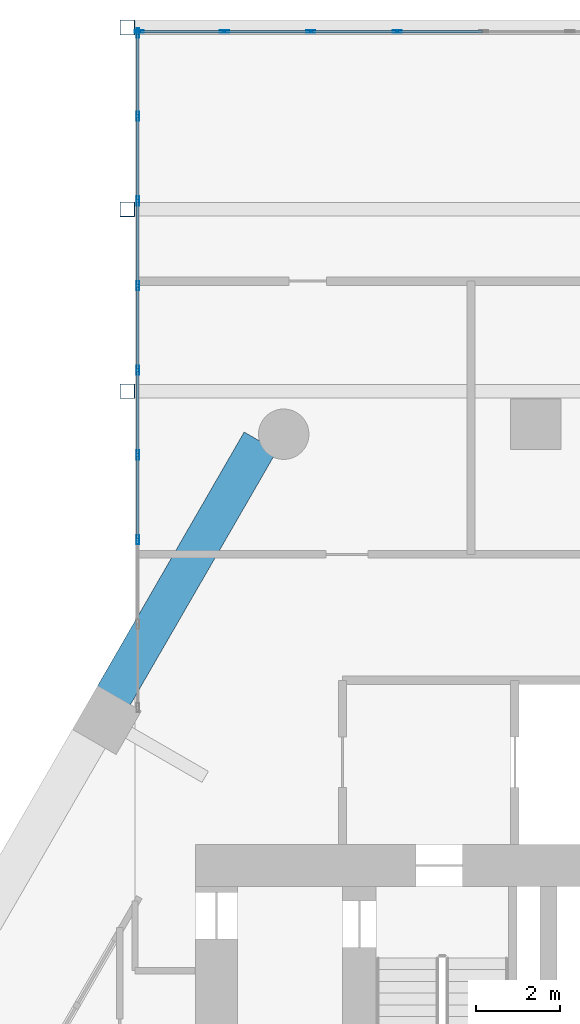
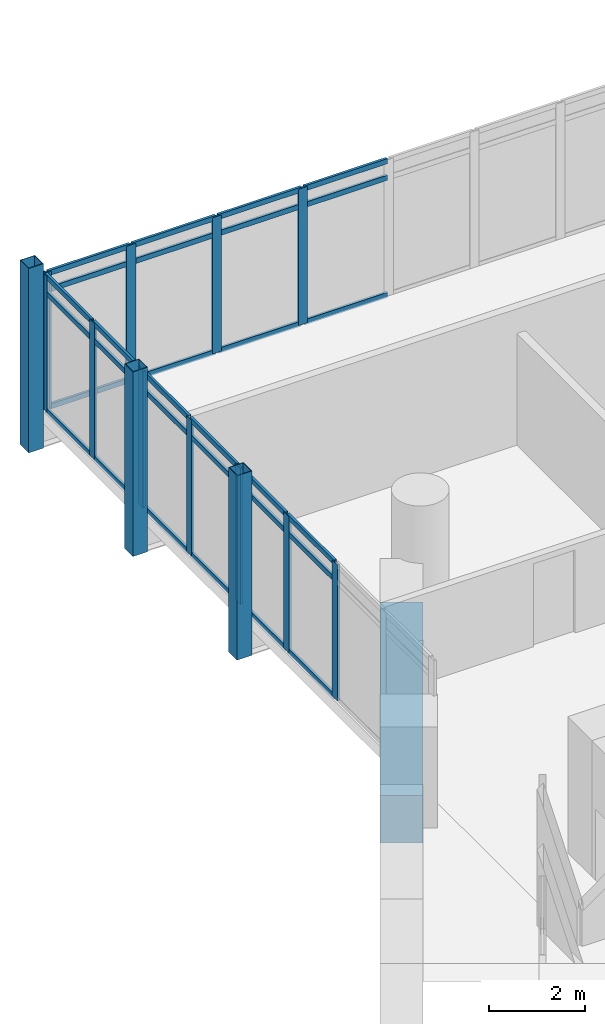
# One storey, part 13 of 28: 44 members, 1 beam, 2 elements without a shape of their own.
"""IFC4 building model written with IfcOpenShell, lengths in metres."""

from ifc_helpers import new_model, si_unit, direction, frame, origin, origin_2d, place, context, subcontext, project, spatial, rectangle, hollow_rectangle, extrude, material, material_profile, profile_set, type_object, element, aggregate, save


model = new_model("IFC4")

# Units and contexts
model_context = context("Model", 3, precision=1e-05, world=origin(), true_north=direction((0.0, 1.0)))
body_context = subcontext(model_context, "Body", "Model", "MODEL_VIEW")
ifc_project = project(units=[si_unit("LENGTHUNIT", "METRE"), si_unit("AREAUNIT", "SQUARE_METRE"), si_unit("VOLUMEUNIT", "CUBIC_METRE"), si_unit("PLANEANGLEUNIT", "RADIAN"), si_unit("MASSUNIT", "GRAM", prefix="KILO")], contexts=[model_context])

# Site, building, storey
site_placement = place(None, origin())
site = spatial("IfcSite", under=ifc_project, at=site_placement, CompositionType="ELEMENT")
building_placement = place(site_placement, origin())
building = spatial("IfcBuilding", under=site, at=building_placement, Name="Ostrander Bayou Hotel Tower", CompositionType="ELEMENT")
storey_placement = place(building_placement, frame((0.0, 0.0, 142.25)))
storey = spatial("IfcBuildingStorey", under=building, at=storey_placement, Name="L35", CompositionType="ELEMENT", Elevation=142.25)

# Curtain wall, members
ifc_material_1 = material(Name="Aluminium and clear glass", Category="aluminium")
curtain_wall_type = type_object("IfcCurtainWallType", Name="CW-BAR glazed wall", PredefinedType="NOTDEFINED", material=ifc_material_1)
curtain_wall_1_placement = place(storey_placement, origin())
curtain_wall_1 = element("IfcCurtainWall", 1, at=curtain_wall_1_placement, inside=storey, type_object=curtain_wall_type, Name="CW-BAR L35:SB3N:E", PredefinedType="NOTDEFINED")
ifc_material_2 = material(Name="Aluminium", Category="aluminium")
ifc_material_profile_1 = material_profile(ifc_material_2, hollow_rectangle(XDim=0.06005859375, YDim=0.219970703125, WallThickness=0.00390625, at=origin_2d()))
ifc_profile_set_1 = profile_set([ifc_material_profile_1], Name="Aluminium")
member_type_1 = type_object("IfcMemberType", Name="CW-BR mullion 60 x 220 mm", PredefinedType="MULLION", material=ifc_profile_set_1)
member_1_placement = place(storey_placement, frame((-13.3671875, 16.950439453125, 0.0), z_axis=(0.0, 0.0, 1.0), x_axis=(-1.0, 0.0, 0.0)))
member_1 = element("IfcMember", 2, at=member_1_placement, type_object=member_type_1, Name="CW-BAR mullion 3", PredefinedType="MULLION", context=body_context, shape_type="SweptSolid", body=[
    extrude(hollow_rectangle(XDim=0.06005859375, YDim=0.219970703125, WallThickness=0.00390625, at=origin_2d()), origin(), (0.0, 0.0, 1.0), 3.449951171875),
])
member_2_placement = place(storey_placement, frame((-13.3671875, 18.96484375, 0.0), z_axis=(0.0, 0.0, 1.0), x_axis=(-1.0, 0.0, 0.0)))
member_2 = element("IfcMember", 3, at=member_2_placement, type_object=member_type_1, Name="CW-BAR mullion 4", PredefinedType="MULLION", context=body_context, shape_type="SweptSolid", body=[
    extrude(hollow_rectangle(XDim=0.06005859375, YDim=0.219970703125, WallThickness=0.00390625, at=origin_2d()), origin(), (0.0, 0.0, 1.0), 3.449951171875),
])
member_3_placement = place(storey_placement, frame((-13.3671875, 20.979248046875, 0.0), z_axis=(0.0, 0.0, 1.0), x_axis=(-1.0, 0.0, 0.0)))
member_3 = element("IfcMember", 4, at=member_3_placement, type_object=member_type_1, Name="CW-BAR mullion 5", PredefinedType="MULLION", context=body_context, shape_type="SweptSolid", body=[
    extrude(hollow_rectangle(XDim=0.06005859375, YDim=0.219970703125, WallThickness=0.00390625, at=origin_2d()), origin(), (0.0, 0.0, 1.0), 3.449951171875),
])
member_4_placement = place(storey_placement, frame((-13.3671875, 22.99365234375, 0.0), z_axis=(0.0, 0.0, 1.0), x_axis=(-1.0, 0.0, 0.0)))
member_4 = element("IfcMember", 5, at=member_4_placement, type_object=member_type_1, Name="CW-BAR mullion 6", PredefinedType="MULLION", context=body_context, shape_type="SweptSolid", body=[
    extrude(hollow_rectangle(XDim=0.06005859375, YDim=0.219970703125, WallThickness=0.00390625, at=origin_2d()), origin(), (0.0, 0.0, 1.0), 3.449951171875),
])
member_5_placement = place(storey_placement, frame((-13.3671875, 25.00830078125, 0.0), z_axis=(0.0, 0.0, 1.0), x_axis=(-1.0, 0.0, 0.0)))
member_5 = element("IfcMember", 6, at=member_5_placement, type_object=member_type_1, Name="CW-BAR mullion 7", PredefinedType="MULLION", context=body_context, shape_type="SweptSolid", body=[
    extrude(hollow_rectangle(XDim=0.06005859375, YDim=0.219970703125, WallThickness=0.00390625, at=origin_2d()), origin(), (0.0, 0.0, 1.0), 3.449951171875),
])
member_6_placement = place(storey_placement, frame((-13.3671875, 27.022705078125, 0.0), z_axis=(0.0, 0.0, 1.0), x_axis=(-1.0, 0.0, 0.0)))
member_6 = element("IfcMember", 7, at=member_6_placement, type_object=member_type_1, Name="CW-BAR mullion 8", PredefinedType="MULLION", context=body_context, shape_type="SweptSolid", body=[
    extrude(hollow_rectangle(XDim=0.06005859375, YDim=0.219970703125, WallThickness=0.00390625, at=origin_2d()), origin(), (0.0, 0.0, 1.0), 3.449951171875),
])
member_7_placement = place(storey_placement, frame((-13.3671875, 29.007080078125, 0.0), z_axis=(0.0, 0.0, 1.0), x_axis=(-1.0, 0.0, 0.0)))
member_7 = element("IfcMember", 8, at=member_7_placement, type_object=member_type_1, Name="CW-BAR mullion 9", PredefinedType="MULLION", context=body_context, shape_type="SweptSolid", body=[
    extrude(hollow_rectangle(XDim=0.06005859375, YDim=0.219970703125, WallThickness=0.00390625, at=origin_2d()), origin(), (0.0, 0.0, 1.0), 3.449951171875),
])

curtain_wall_2_placement = place(storey_placement, origin())
curtain_wall_2 = element("IfcCurtainWall", 9, at=curtain_wall_2_placement, inside=storey, type_object=curtain_wall_type, Name="CW-BAR L35:SB3N:T", PredefinedType="NOTDEFINED")
member_8_placement = place(storey_placement, frame((-13.337158203125, 29.037109375, 0.0), z_axis=(0.0, 0.0, 1.0), x_axis=(0.0, 1.0, 0.0)))
member_8 = element("IfcMember", 10, at=member_8_placement, type_object=member_type_1, Name="CW-BAR mullion 1", PredefinedType="MULLION", context=body_context, shape_type="SweptSolid", body=[
    extrude(hollow_rectangle(XDim=0.06005859375, YDim=0.219970703125, WallThickness=0.00390625, at=origin_2d()), origin(), (0.0, 0.0, 1.0), 3.449951171875),
])
member_9_placement = place(storey_placement, frame((-11.310791015625, 29.037109375, 0.0), z_axis=(0.0, 0.0, 1.0), x_axis=(0.0, 1.0, 0.0)))
member_9 = element("IfcMember", 11, at=member_9_placement, type_object=member_type_1, Name="CW-BAR mullion 2", PredefinedType="MULLION", context=body_context, shape_type="SweptSolid", body=[
    extrude(hollow_rectangle(XDim=0.06005859375, YDim=0.219970703125, WallThickness=0.00390625, at=origin_2d()), origin(), (0.0, 0.0, 1.0), 3.449951171875),
])
member_10_placement = place(storey_placement, frame((-9.254150390625, 29.037109375, 0.0), z_axis=(0.0, 0.0, 1.0), x_axis=(0.0, 1.0, 0.0)))
member_10 = element("IfcMember", 12, at=member_10_placement, type_object=member_type_1, Name="CW-BAR mullion 3", PredefinedType="MULLION", context=body_context, shape_type="SweptSolid", body=[
    extrude(hollow_rectangle(XDim=0.06005859375, YDim=0.219970703125, WallThickness=0.00390625, at=origin_2d()), origin(), (0.0, 0.0, 1.0), 3.449951171875),
])
member_11_placement = place(storey_placement, frame((-7.19775390625, 29.037109375, 0.0), z_axis=(0.0, 0.0, 1.0), x_axis=(0.0, 1.0, 0.0)))
member_11 = element("IfcMember", 13, at=member_11_placement, type_object=member_type_1, Name="CW-BAR mullion 4", PredefinedType="MULLION", context=body_context, shape_type="SweptSolid", body=[
    extrude(hollow_rectangle(XDim=0.06005859375, YDim=0.219970703125, WallThickness=0.00390625, at=origin_2d()), origin(), (0.0, 0.0, 1.0), 3.449951171875),
])

# Member
ifc_material_3 = material(Name="Aluminium", Category="aluminium")
ifc_material_profile_2 = material_profile(ifc_material_3, hollow_rectangle(XDim=0.06005859375, YDim=0.1298828125, WallThickness=0.00390625, at=origin_2d()))
ifc_profile_set_2 = profile_set([ifc_material_profile_2], Name="Aluminium")
member_type_2 = type_object("IfcMemberType", Name="CW-BR transom 60 x 130 mm", PredefinedType="USERDEFINED", material=ifc_profile_set_2)
member_12_placement = place(storey_placement, frame((-13.3671875, 16.98046875, 0.030029296875), z_axis=(0.0, 1.0, 0.0), x_axis=(-1.0, 0.0, 0.0)))
member_12 = element("IfcMember", 14, at=member_12_placement, type_object=member_type_2, Name="CW-BAR transom 3.1", ObjectType="TRANSOM", PredefinedType="USERDEFINED", context=body_context, shape_type="SweptSolid", body=[
    extrude(hollow_rectangle(XDim=0.06005859375, YDim=0.1298828125, WallThickness=0.00390625, at=origin_2d()), origin(), (0.0, 0.0, 1.0), 1.954345703125),
])

member_13_placement = place(storey_placement, frame((-13.3671875, 16.98046875, 3.0), z_axis=(0.0, 1.0, 0.0), x_axis=(-1.0, 0.0, 0.0)))
member_13 = element("IfcMember", 15, at=member_13_placement, type_object=member_type_2, Name="CW-BAR transom 3.2", ObjectType="TRANSOM", PredefinedType="USERDEFINED", context=body_context, shape_type="SweptSolid", body=[
    extrude(hollow_rectangle(XDim=0.06005859375, YDim=0.1298828125, WallThickness=0.00390625, at=origin_2d()), origin(), (0.0, 0.0, 1.0), 1.954345703125),
])

member_14_placement = place(storey_placement, frame((-13.3671875, 16.98046875, 3.419921875), z_axis=(0.0, 1.0, 0.0), x_axis=(-1.0, 0.0, 0.0)))
member_14 = element("IfcMember", 16, at=member_14_placement, type_object=member_type_2, Name="CW-BAR transom 3.3", ObjectType="TRANSOM", PredefinedType="USERDEFINED", context=body_context, shape_type="SweptSolid", body=[
    extrude(hollow_rectangle(XDim=0.06005859375, YDim=0.1298828125, WallThickness=0.00390625, at=origin_2d()), origin(), (0.0, 0.0, 1.0), 1.954345703125),
])

member_15_placement = place(storey_placement, frame((-13.3671875, 18.994873046875, 0.030029296875), z_axis=(0.0, 1.0, 0.0), x_axis=(-1.0, 0.0, 0.0)))
member_15 = element("IfcMember", 17, at=member_15_placement, type_object=member_type_2, Name="CW-BAR transom 4.1", ObjectType="TRANSOM", PredefinedType="USERDEFINED", context=body_context, shape_type="SweptSolid", body=[
    extrude(hollow_rectangle(XDim=0.06005859375, YDim=0.1298828125, WallThickness=0.00390625, at=origin_2d()), origin(), (0.0, 0.0, 1.0), 1.954345703125),
])

member_16_placement = place(storey_placement, frame((-13.3671875, 18.994873046875, 3.0), z_axis=(0.0, 1.0, 0.0), x_axis=(-1.0, 0.0, 0.0)))
member_16 = element("IfcMember", 18, at=member_16_placement, type_object=member_type_2, Name="CW-BAR transom 4.2", ObjectType="TRANSOM", PredefinedType="USERDEFINED", context=body_context, shape_type="SweptSolid", body=[
    extrude(hollow_rectangle(XDim=0.06005859375, YDim=0.1298828125, WallThickness=0.00390625, at=origin_2d()), origin(), (0.0, 0.0, 1.0), 1.954345703125),
])

member_17_placement = place(storey_placement, frame((-13.3671875, 18.994873046875, 3.419921875), z_axis=(0.0, 1.0, 0.0), x_axis=(-1.0, 0.0, 0.0)))
member_17 = element("IfcMember", 19, at=member_17_placement, type_object=member_type_2, Name="CW-BAR transom 4.3", ObjectType="TRANSOM", PredefinedType="USERDEFINED", context=body_context, shape_type="SweptSolid", body=[
    extrude(hollow_rectangle(XDim=0.06005859375, YDim=0.1298828125, WallThickness=0.00390625, at=origin_2d()), origin(), (0.0, 0.0, 1.0), 1.954345703125),
])

member_18_placement = place(storey_placement, frame((-13.3671875, 21.00927734375, 0.030029296875), z_axis=(0.0, 1.0, 0.0), x_axis=(-1.0, 0.0, 0.0)))
member_18 = element("IfcMember", 20, at=member_18_placement, type_object=member_type_2, Name="CW-BAR transom 5.1", ObjectType="TRANSOM", PredefinedType="USERDEFINED", context=body_context, shape_type="SweptSolid", body=[
    extrude(hollow_rectangle(XDim=0.06005859375, YDim=0.1298828125, WallThickness=0.00390625, at=origin_2d()), origin(), (0.0, 0.0, 1.0), 1.95458984375),
])

member_19_placement = place(storey_placement, frame((-13.3671875, 21.00927734375, 3.0), z_axis=(0.0, 1.0, 0.0), x_axis=(-1.0, 0.0, 0.0)))
member_19 = element("IfcMember", 21, at=member_19_placement, type_object=member_type_2, Name="CW-BAR transom 5.2", ObjectType="TRANSOM", PredefinedType="USERDEFINED", context=body_context, shape_type="SweptSolid", body=[
    extrude(hollow_rectangle(XDim=0.06005859375, YDim=0.1298828125, WallThickness=0.00390625, at=origin_2d()), origin(), (0.0, 0.0, 1.0), 1.95458984375),
])

member_20_placement = place(storey_placement, frame((-13.3671875, 21.00927734375, 3.419921875), z_axis=(0.0, 1.0, 0.0), x_axis=(-1.0, 0.0, 0.0)))
member_20 = element("IfcMember", 22, at=member_20_placement, type_object=member_type_2, Name="CW-BAR transom 5.3", ObjectType="TRANSOM", PredefinedType="USERDEFINED", context=body_context, shape_type="SweptSolid", body=[
    extrude(hollow_rectangle(XDim=0.06005859375, YDim=0.1298828125, WallThickness=0.00390625, at=origin_2d()), origin(), (0.0, 0.0, 1.0), 1.95458984375),
])

member_21_placement = place(storey_placement, frame((-13.3671875, 23.023681640625, 0.030029296875), z_axis=(0.0, 1.0, 0.0), x_axis=(-1.0, 0.0, 0.0)))
member_21 = element("IfcMember", 23, at=member_21_placement, type_object=member_type_2, Name="CW-BAR transom 6.1", ObjectType="TRANSOM", PredefinedType="USERDEFINED", context=body_context, shape_type="SweptSolid", body=[
    extrude(hollow_rectangle(XDim=0.06005859375, YDim=0.1298828125, WallThickness=0.00390625, at=origin_2d()), origin(), (0.0, 0.0, 1.0), 1.95458984375),
])

member_22_placement = place(storey_placement, frame((-13.3671875, 23.023681640625, 3.0), z_axis=(0.0, 1.0, 0.0), x_axis=(-1.0, 0.0, 0.0)))
member_22 = element("IfcMember", 24, at=member_22_placement, type_object=member_type_2, Name="CW-BAR transom 6.2", ObjectType="TRANSOM", PredefinedType="USERDEFINED", context=body_context, shape_type="SweptSolid", body=[
    extrude(hollow_rectangle(XDim=0.06005859375, YDim=0.1298828125, WallThickness=0.00390625, at=origin_2d()), origin(), (0.0, 0.0, 1.0), 1.95458984375),
])

member_23_placement = place(storey_placement, frame((-13.3671875, 23.023681640625, 3.419921875), z_axis=(0.0, 1.0, 0.0), x_axis=(-1.0, 0.0, 0.0)))
member_23 = element("IfcMember", 25, at=member_23_placement, type_object=member_type_2, Name="CW-BAR transom 6.3", ObjectType="TRANSOM", PredefinedType="USERDEFINED", context=body_context, shape_type="SweptSolid", body=[
    extrude(hollow_rectangle(XDim=0.06005859375, YDim=0.1298828125, WallThickness=0.00390625, at=origin_2d()), origin(), (0.0, 0.0, 1.0), 1.95458984375),
])

member_24_placement = place(storey_placement, frame((-13.3671875, 25.0380859375, 0.030029296875), z_axis=(0.0, 1.0, 0.0), x_axis=(-1.0, 0.0, 0.0)))
member_24 = element("IfcMember", 26, at=member_24_placement, type_object=member_type_2, Name="CW-BAR transom 7.1", ObjectType="TRANSOM", PredefinedType="USERDEFINED", context=body_context, shape_type="SweptSolid", body=[
    extrude(hollow_rectangle(XDim=0.06005859375, YDim=0.1298828125, WallThickness=0.00390625, at=origin_2d()), origin(), (0.0, 0.0, 1.0), 1.95458984375),
])

member_25_placement = place(storey_placement, frame((-13.3671875, 25.0380859375, 3.0), z_axis=(0.0, 1.0, 0.0), x_axis=(-1.0, 0.0, 0.0)))
member_25 = element("IfcMember", 27, at=member_25_placement, type_object=member_type_2, Name="CW-BAR transom 7.2", ObjectType="TRANSOM", PredefinedType="USERDEFINED", context=body_context, shape_type="SweptSolid", body=[
    extrude(hollow_rectangle(XDim=0.06005859375, YDim=0.1298828125, WallThickness=0.00390625, at=origin_2d()), origin(), (0.0, 0.0, 1.0), 1.95458984375),
])

member_26_placement = place(storey_placement, frame((-13.3671875, 25.0380859375, 3.419921875), z_axis=(0.0, 1.0, 0.0), x_axis=(-1.0, 0.0, 0.0)))
member_26 = element("IfcMember", 28, at=member_26_placement, type_object=member_type_2, Name="CW-BAR transom 7.3", ObjectType="TRANSOM", PredefinedType="USERDEFINED", context=body_context, shape_type="SweptSolid", body=[
    extrude(hollow_rectangle(XDim=0.06005859375, YDim=0.1298828125, WallThickness=0.00390625, at=origin_2d()), origin(), (0.0, 0.0, 1.0), 1.95458984375),
])

member_27_placement = place(storey_placement, frame((-13.3671875, 27.052734375, 0.030029296875), z_axis=(0.0, 1.0, 0.0), x_axis=(-1.0, 0.0, 0.0)))
member_27 = element("IfcMember", 29, at=member_27_placement, type_object=member_type_2, Name="CW-BAR transom 8.1", ObjectType="TRANSOM", PredefinedType="USERDEFINED", context=body_context, shape_type="SweptSolid", body=[
    extrude(hollow_rectangle(XDim=0.06005859375, YDim=0.1298828125, WallThickness=0.00390625, at=origin_2d()), origin(), (0.0, 0.0, 1.0), 1.92431640625),
])

member_28_placement = place(storey_placement, frame((-13.3671875, 27.052734375, 3.0), z_axis=(0.0, 1.0, 0.0), x_axis=(-1.0, 0.0, 0.0)))
member_28 = element("IfcMember", 30, at=member_28_placement, type_object=member_type_2, Name="CW-BAR transom 8.2", ObjectType="TRANSOM", PredefinedType="USERDEFINED", context=body_context, shape_type="SweptSolid", body=[
    extrude(hollow_rectangle(XDim=0.06005859375, YDim=0.1298828125, WallThickness=0.00390625, at=origin_2d()), origin(), (0.0, 0.0, 1.0), 1.92431640625),
])

member_29_placement = place(storey_placement, frame((-13.3671875, 27.052734375, 3.419921875), z_axis=(0.0, 1.0, 0.0), x_axis=(-1.0, 0.0, 0.0)))
member_29 = element("IfcMember", 31, at=member_29_placement, type_object=member_type_2, Name="CW-BAR transom 8.3", ObjectType="TRANSOM", PredefinedType="USERDEFINED", context=body_context, shape_type="SweptSolid", body=[
    extrude(hollow_rectangle(XDim=0.06005859375, YDim=0.1298828125, WallThickness=0.00390625, at=origin_2d()), origin(), (0.0, 0.0, 1.0), 1.92431640625),
])

aggregate(curtain_wall_1, [member_1, member_2, member_3, member_4, member_5, member_6, member_7, member_12, member_13, member_14, member_15, member_16, member_17, member_18, member_19, member_20, member_21, member_22, member_23, member_24, member_25, member_26, member_27, member_28, member_29])

member_30_placement = place(storey_placement, frame((-13.30712890625, 29.037109375, 0.030029296875), z_axis=(1.0, 0.0, 0.0), x_axis=(0.0, 1.0, 0.0)))
member_30 = element("IfcMember", 32, at=member_30_placement, type_object=member_type_2, Name="CW-BAR transom 1.1", ObjectType="TRANSOM", PredefinedType="USERDEFINED", context=body_context, shape_type="SweptSolid", body=[
    extrude(hollow_rectangle(XDim=0.06005859375, YDim=0.1298828125, WallThickness=0.00390625, at=origin_2d()), origin(), (0.0, 0.0, 1.0), 1.96630859375),
])

member_31_placement = place(storey_placement, frame((-13.30712890625, 29.037109375, 3.0), z_axis=(1.0, 0.0, 0.0), x_axis=(0.0, 1.0, 0.0)))
member_31 = element("IfcMember", 33, at=member_31_placement, type_object=member_type_2, Name="CW-BAR transom 1.2", ObjectType="TRANSOM", PredefinedType="USERDEFINED", context=body_context, shape_type="SweptSolid", body=[
    extrude(hollow_rectangle(XDim=0.06005859375, YDim=0.1298828125, WallThickness=0.00390625, at=origin_2d()), origin(), (0.0, 0.0, 1.0), 1.96630859375),
])

member_32_placement = place(storey_placement, frame((-13.30712890625, 29.037109375, 3.419921875), z_axis=(1.0, 0.0, 0.0), x_axis=(0.0, 1.0, 0.0)))
member_32 = element("IfcMember", 34, at=member_32_placement, type_object=member_type_2, Name="CW-BAR transom 1.3", ObjectType="TRANSOM", PredefinedType="USERDEFINED", context=body_context, shape_type="SweptSolid", body=[
    extrude(hollow_rectangle(XDim=0.06005859375, YDim=0.1298828125, WallThickness=0.00390625, at=origin_2d()), origin(), (0.0, 0.0, 1.0), 1.96630859375),
])

member_33_placement = place(storey_placement, frame((-11.28076171875, 29.037109375, 0.030029296875), z_axis=(1.0, 0.0, 0.0), x_axis=(0.0, 1.0, 0.0)))
member_33 = element("IfcMember", 35, at=member_33_placement, type_object=member_type_2, Name="CW-BAR transom 2.1", ObjectType="TRANSOM", PredefinedType="USERDEFINED", context=body_context, shape_type="SweptSolid", body=[
    extrude(hollow_rectangle(XDim=0.06005859375, YDim=0.1298828125, WallThickness=0.00390625, at=origin_2d()), origin(), (0.0, 0.0, 1.0), 1.99658203125),
])

member_34_placement = place(storey_placement, frame((-11.28076171875, 29.037109375, 3.0), z_axis=(1.0, 0.0, 0.0), x_axis=(0.0, 1.0, 0.0)))
member_34 = element("IfcMember", 36, at=member_34_placement, type_object=member_type_2, Name="CW-BAR transom 2.2", ObjectType="TRANSOM", PredefinedType="USERDEFINED", context=body_context, shape_type="SweptSolid", body=[
    extrude(hollow_rectangle(XDim=0.06005859375, YDim=0.1298828125, WallThickness=0.00390625, at=origin_2d()), origin(), (0.0, 0.0, 1.0), 1.99658203125),
])

member_35_placement = place(storey_placement, frame((-11.28076171875, 29.037109375, 3.419921875), z_axis=(1.0, 0.0, 0.0), x_axis=(0.0, 1.0, 0.0)))
member_35 = element("IfcMember", 37, at=member_35_placement, type_object=member_type_2, Name="CW-BAR transom 2.3", ObjectType="TRANSOM", PredefinedType="USERDEFINED", context=body_context, shape_type="SweptSolid", body=[
    extrude(hollow_rectangle(XDim=0.06005859375, YDim=0.1298828125, WallThickness=0.00390625, at=origin_2d()), origin(), (0.0, 0.0, 1.0), 1.99658203125),
])

member_36_placement = place(storey_placement, frame((-9.22412109375, 29.037109375, 0.030029296875), z_axis=(1.0, 0.0, 0.0), x_axis=(0.0, 1.0, 0.0)))
member_36 = element("IfcMember", 38, at=member_36_placement, type_object=member_type_2, Name="CW-BAR transom 3.1", ObjectType="TRANSOM", PredefinedType="USERDEFINED", context=body_context, shape_type="SweptSolid", body=[
    extrude(hollow_rectangle(XDim=0.06005859375, YDim=0.1298828125, WallThickness=0.00390625, at=origin_2d()), origin(), (0.0, 0.0, 1.0), 1.996337890625),
])

member_37_placement = place(storey_placement, frame((-9.22412109375, 29.037109375, 3.0), z_axis=(1.0, 0.0, 0.0), x_axis=(0.0, 1.0, 0.0)))
member_37 = element("IfcMember", 39, at=member_37_placement, type_object=member_type_2, Name="CW-BAR transom 3.2", ObjectType="TRANSOM", PredefinedType="USERDEFINED", context=body_context, shape_type="SweptSolid", body=[
    extrude(hollow_rectangle(XDim=0.06005859375, YDim=0.1298828125, WallThickness=0.00390625, at=origin_2d()), origin(), (0.0, 0.0, 1.0), 1.996337890625),
])

member_38_placement = place(storey_placement, frame((-9.22412109375, 29.037109375, 3.419921875), z_axis=(1.0, 0.0, 0.0), x_axis=(0.0, 1.0, 0.0)))
member_38 = element("IfcMember", 40, at=member_38_placement, type_object=member_type_2, Name="CW-BAR transom 3.3", ObjectType="TRANSOM", PredefinedType="USERDEFINED", context=body_context, shape_type="SweptSolid", body=[
    extrude(hollow_rectangle(XDim=0.06005859375, YDim=0.1298828125, WallThickness=0.00390625, at=origin_2d()), origin(), (0.0, 0.0, 1.0), 1.996337890625),
])

member_39_placement = place(storey_placement, frame((-7.167724609375, 29.037109375, 0.030029296875), z_axis=(1.0, 0.0, 0.0), x_axis=(0.0, 1.0, 0.0)))
member_39 = element("IfcMember", 41, at=member_39_placement, type_object=member_type_2, Name="CW-BAR transom 4.1", ObjectType="TRANSOM", PredefinedType="USERDEFINED", context=body_context, shape_type="SweptSolid", body=[
    extrude(hollow_rectangle(XDim=0.06005859375, YDim=0.1298828125, WallThickness=0.00390625, at=origin_2d()), origin(), (0.0, 0.0, 1.0), 1.99658203125),
])

member_40_placement = place(storey_placement, frame((-7.167724609375, 29.037109375, 3.0), z_axis=(1.0, 0.0, 0.0), x_axis=(0.0, 1.0, 0.0)))
member_40 = element("IfcMember", 42, at=member_40_placement, type_object=member_type_2, Name="CW-BAR transom 4.2", ObjectType="TRANSOM", PredefinedType="USERDEFINED", context=body_context, shape_type="SweptSolid", body=[
    extrude(hollow_rectangle(XDim=0.06005859375, YDim=0.1298828125, WallThickness=0.00390625, at=origin_2d()), origin(), (0.0, 0.0, 1.0), 1.99658203125),
])

member_41_placement = place(storey_placement, frame((-7.167724609375, 29.037109375, 3.419921875), z_axis=(1.0, 0.0, 0.0), x_axis=(0.0, 1.0, 0.0)))
member_41 = element("IfcMember", 43, at=member_41_placement, type_object=member_type_2, Name="CW-BAR transom 4.3", ObjectType="TRANSOM", PredefinedType="USERDEFINED", context=body_context, shape_type="SweptSolid", body=[
    extrude(hollow_rectangle(XDim=0.06005859375, YDim=0.1298828125, WallThickness=0.00390625, at=origin_2d()), origin(), (0.0, 0.0, 1.0), 1.99658203125),
])

aggregate(curtain_wall_2, [member_8, member_9, member_10, member_11, member_30, member_31, member_32, member_33, member_34, member_35, member_36, member_37, member_38, member_39, member_40, member_41])

# Beam
ifc_material_4 = material(Name="Concrete f'c 70 MPa", Category="concrete")
ifc_material_profile_3 = material_profile(ifc_material_4, rectangle(XDim=0.89990234375, YDim=1.199951171875, at=origin_2d()))
ifc_profile_set_3 = profile_set([ifc_material_profile_3], Name="Concrete f'c 70 MPa")
beam_type = type_object("IfcBeamType", Name="SP2 spandrel beam 900 x 1200 mm f'c 70 MPa", PredefinedType="SPANDREL", material=ifc_profile_set_3)
beam_placement = place(storey_placement, frame((-10.450439453125, 19.286376953125, -0.60009765625), z_axis=(-0.499991127072, -0.866030526511, 0.0), x_axis=(0.866030526511, -0.499991127072, 0.0)))
element("IfcBeam", 44, at=beam_placement, inside=storey, type_object=beam_type, Name="SP2 L35 NW-1", PredefinedType="SPANDREL", context=body_context, shape_type="SweptSolid", body=[
    extrude(rectangle(XDim=0.89990234375, YDim=1.199951171875, at=origin_2d()), origin(), (0.0, 0.0, 1.0), 7.000732421875),
])

# Members
ifc_material_5 = material(Name="Steel ASTM A500 Gr C", Category="steel")
ifc_material_profile_4 = material_profile(ifc_material_5, hollow_rectangle(XDim=0.355712890625, YDim=0.355712890625, WallThickness=0.0146484375, at=origin_2d()))
ifc_profile_set_4 = profile_set([ifc_material_profile_4], Name="Steel ASTM A500 Gr C")
member_type_3 = type_object("IfcMemberType", Name="TH1 bar hanger HSS14x14x5/8", PredefinedType="POST", material=ifc_profile_set_4)
for number, where, z_axis, x_axis, name in (
    (45, (-13.6201171875, 29.13720703125, -0.921875), (0.0, 0.0, 1.0), (1.0, 0.0, 0.0), "TH1 SB3WA H1-4"),
    (46, (-13.6201171875, 24.809326171875, -0.921875), (0.0, 0.0, 1.0), (1.0, 0.0, 0.0), "TH1 SB3WA H2-4"),
    (47, (-13.6201171875, 20.481689453125, -0.921875), (0.0, 0.0, 1.0), (1.0, 0.0, 0.0), "TH1 SB3WA H3-4"),
):
    element("IfcMember", number, at=place(storey_placement, frame(where, z_axis=z_axis, x_axis=x_axis)), inside=storey, type_object=member_type_3, Name=name, PredefinedType="POST", context=body_context, shape_type="SweptSolid", body=[
        extrude(hollow_rectangle(XDim=0.355712890625, YDim=0.355712890625, WallThickness=0.0146484375, at=origin_2d()), origin(), (0.0, 0.0, 1.0), 4.671875),
    ])

save(model, "model.ifc")
